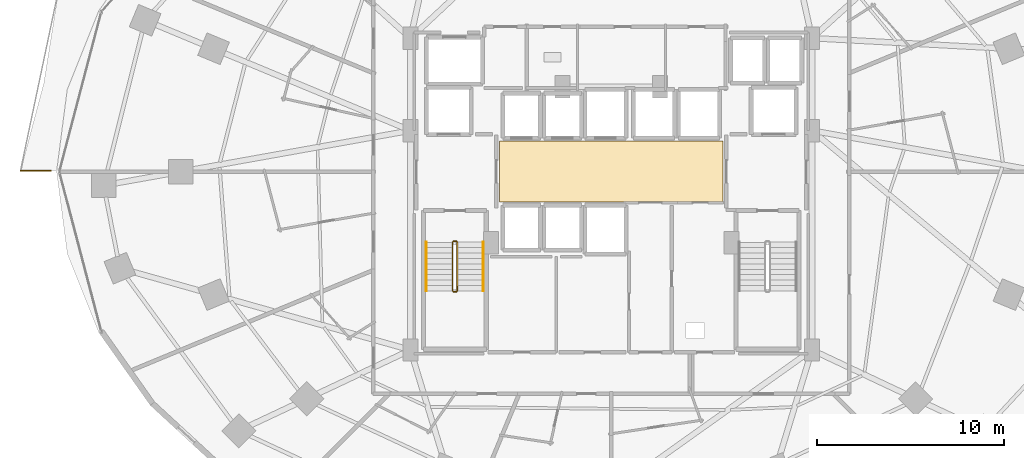
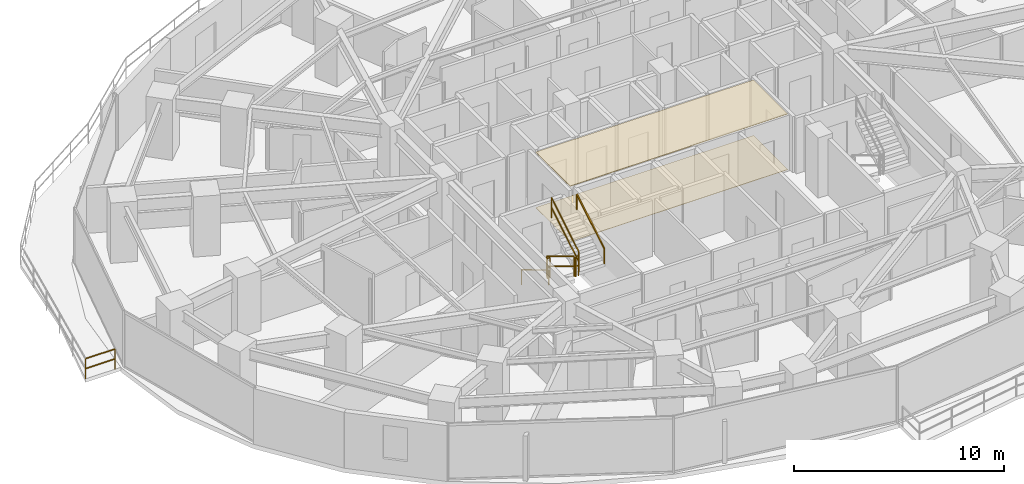
# One storey, part 31 of 34: 7 railings, 2 coverings.
"""IFC4 building model written with IfcOpenShell, lengths in metres."""

from ifc_helpers import new_model, si_unit, direction, frame, origin, origin_2d, place, context, subcontext, project, spatial, polyline, rectangle, outline, extrude, material, layer, layer_set, type_object, element, save


model = new_model("IFC4")

# Units and contexts
model_context = context("Model", 3, precision=1e-05, world=origin(), true_north=direction((0.0, 1.0)))
body_context = subcontext(model_context, "Body", "Model", "MODEL_VIEW")
ifc_project = project(units=[si_unit("LENGTHUNIT", "METRE"), si_unit("AREAUNIT", "SQUARE_METRE"), si_unit("VOLUMEUNIT", "CUBIC_METRE"), si_unit("PLANEANGLEUNIT", "RADIAN"), si_unit("MASSUNIT", "GRAM", prefix="KILO")], contexts=[model_context])

# Site, building, storey
site_placement = place(None, origin())
site = spatial("IfcSite", under=ifc_project, at=site_placement, CompositionType="ELEMENT")
building_placement = place(site_placement, origin())
building = spatial("IfcBuilding", under=site, at=building_placement, Name="Vorneva Point Tower", CompositionType="ELEMENT")
storey_placement = place(building_placement, frame((0.0, 0.0, 27.5)))
storey = spatial("IfcBuildingStorey", under=building, at=storey_placement, Name="L06", CompositionType="ELEMENT", Elevation=27.5)

# Coverings
ifc_material_1 = material(Name="Perforated acoustic aluminium baffle ceiling", Category="aluminium")
ifc_layer_1 = layer(ifc_material_1, 0.030029296875)
ifc_layer_set_1 = layer_set([ifc_layer_1], Name="Perforated acoustic aluminium baffle ceiling")
covering_type_1 = type_object("IfcCoveringType", Name="COV-CEIL-BAF", PredefinedType="CEILING", material=ifc_layer_set_1)
covering_1_placement = place(storey_placement, frame((0.0, 0.0, 3.2099609375)))
element("IfcCovering", 1, at=covering_1_placement, inside=storey, type_object=covering_type_1, Name="L06 Lift Lobby Acoustic Baffle Ceiling", PredefinedType="CEILING", context=body_context, shape_type="SweptSolid", body=[
    extrude(outline(polyline([(32.02001953125, 24.3701171875), (43.97998046875, 24.3701171875), (43.97998046875, 27.6298828125), (32.02001953125, 27.6298828125), (32.02001953125, 24.3701171875)])), origin(), (0.0, 0.0, 1.0), 0.03515625),
])
ifc_material_2 = material(Name="Acoustic wool hospitality carpet", Category="textile")
ifc_layer_2 = layer(ifc_material_2, 0.01806640625)
ifc_layer_set_2 = layer_set([ifc_layer_2], Name="Acoustic wool hospitality carpet")
covering_type_2 = type_object("IfcCoveringType", Name="COV-FLR-CRP", PredefinedType="FLOORING", material=ifc_layer_set_2)
covering_2_placement = place(storey_placement, frame((0.0, 0.0, -0.0048828125)))
element("IfcCovering", 2, at=covering_2_placement, inside=storey, type_object=covering_type_2, Name="L06 Lift Lobby Floor Finish", PredefinedType="FLOORING", context=body_context, shape_type="SweptSolid", body=[
    extrude(outline(polyline([(32.02001953125, 24.3701171875), (43.97998046875, 24.3701171875), (43.97998046875, 27.6298828125), (32.02001953125, 27.6298828125), (32.02001953125, 24.3701171875)])), origin(), (0.0, 0.0, 1.0), 0.02294921875),
])

# Railings
ifc_material_3 = material(Name="Pale anodised aluminium", Category="aluminium")
railing_type_1 = type_object("IfcRailingType", Name="RL-BAL-1200", PredefinedType="BALUSTRADE", material=ifc_material_3)
railing_1_placement = place(storey_placement, frame((6.36328125, 26.050048828125, 0.0)))
element("IfcRailing", 3, at=railing_1_placement, inside=storey, type_object=railing_type_1, Name="L06 Wave Balcony Balustrade NW.1", PredefinedType="BALUSTRADE", context=body_context, shape_type="SweptSolid", body=[
    extrude(rectangle(XDim=0.048095703125, YDim=0.048095703125, at=origin_2d()), frame((0.0, 0.0, 1.17578125), z_axis=(1.0, 0.0, 0.0), x_axis=(0.0, 1.0, 0.0)), (0.0, 0.0, 1.0), 1.62060546875),
    extrude(rectangle(XDim=0.048095703125, YDim=0.048095703125, at=origin_2d()), frame((0.0, 0.0, 0.60009765625), z_axis=(1.0, 0.0, 0.0), x_axis=(0.0, 1.0, 0.0)), (0.0, 0.0, 1.0), 1.62060546875),
    extrude(rectangle(XDim=0.0419921875, YDim=0.0419921875, at=origin_2d()), origin(), (0.0, 0.0, 1.0), 1.15185546875),
    extrude(rectangle(XDim=0.0419921875, YDim=0.0419921875, at=origin_2d()), frame((1.62060546875, 0.0, 0.0)), (0.0, 0.0, 1.0), 1.15185546875),
])
ifc_material_4 = material(Name="Brushed stainless steel S304", Category="steel")
railing_type_2 = type_object("IfcRailingType", Name="RL-HND-920", PredefinedType="HANDRAIL", material=ifc_material_4)
railing_2_placement = place(storey_placement, frame((28.10009765625, 22.219970703125, 0.175048828125)))
element("IfcRailing", 4, at=railing_2_placement, inside=storey, type_object=railing_type_2, Name="L06 ST1 stair handrail 1", PredefinedType="HANDRAIL", context=body_context, shape_type="SweptSolid", body=[
    extrude(rectangle(XDim=0.048095703125, YDim=0.048095703125, at=origin_2d()), frame((0.0, 0.0, 0.8759765625), z_axis=(0.0, -0.85618277418, 0.516673066065), x_axis=(1.0, 0.0, 0.0)), (0.0, 0.0, 1.0), 3.04833984375),
    extrude(rectangle(XDim=0.0419921875, YDim=0.0419921875, at=origin_2d()), origin(), (0.0, 0.0, 1.0), 0.851806640625),
    extrude(rectangle(XDim=0.0419921875, YDim=0.0419921875, at=origin_2d()), frame((0.0, -2.60986328125, 1.574951171875)), (0.0, 0.0, 1.0), 0.851806640625),
])
railing_3_placement = place(storey_placement, frame((31.14990234375, 19.610107421875, 1.925048828125)))
element("IfcRailing", 5, at=railing_3_placement, inside=storey, type_object=railing_type_2, Name="L06 ST1 stair handrail 2", PredefinedType="HANDRAIL", context=body_context, shape_type="SweptSolid", body=[
    extrude(rectangle(XDim=0.048095703125, YDim=0.048095703125, at=origin_2d()), frame((0.0, 0.0, 0.8759765625), z_axis=(0.0, 0.85618277418, 0.516673066065), x_axis=(-1.0, 0.0, 0.0)), (0.0, 0.0, 1.0), 3.04833984375),
    extrude(rectangle(XDim=0.0419921875, YDim=0.0419921875, at=origin_2d()), origin(), (0.0, 0.0, 1.0), 0.851806640625),
    extrude(rectangle(XDim=0.0419921875, YDim=0.0419921875, at=origin_2d()), frame((0.0, 2.60986328125, 1.574951171875)), (0.0, 0.0, 1.0), 0.851806640625),
])
railing_type_3 = type_object("IfcRailingType", Name="RL-STG-1100", PredefinedType="GUARDRAIL", material=ifc_material_4)
railing_4_placement = place(storey_placement, frame((29.5, 22.219970703125, 0.175048828125)))
element("IfcRailing", 6, at=railing_4_placement, inside=storey, type_object=railing_type_3, Name="L06 ST1 stair guard 1", PredefinedType="GUARDRAIL", context=body_context, shape_type="SweptSolid", body=[
    extrude(rectangle(XDim=0.048095703125, YDim=0.048095703125, at=origin_2d()), frame((0.0, 0.0, 1.17578125), z_axis=(0.0, -0.85618277418, 0.516673066065), x_axis=(1.0, 0.0, 0.0)), (0.0, 0.0, 1.0), 3.04833984375),
    extrude(rectangle(XDim=0.048095703125, YDim=0.048095703125, at=origin_2d()), frame((0.0, 0.0, 0.60009765625), z_axis=(0.0, -0.85618277418, 0.516673066065), x_axis=(1.0, 0.0, 0.0)), (0.0, 0.0, 1.0), 3.04833984375),
    extrude(rectangle(XDim=0.0419921875, YDim=0.0419921875, at=origin_2d()), origin(), (0.0, 0.0, 1.0), 1.15185546875),
    extrude(rectangle(XDim=0.0419921875, YDim=0.0419921875, at=origin_2d()), frame((0.0, -2.60986328125, 1.574951171875)), (0.0, 0.0, 1.0), 1.15185546875),
])
railing_5_placement = place(storey_placement, frame((29.550048828125, 19.56005859375, 1.75)))
element("IfcRailing", 7, at=railing_5_placement, inside=storey, type_object=railing_type_3, Name="L06 ST1 stair guard 2", PredefinedType="GUARDRAIL", context=body_context, shape_type="SweptSolid", body=[
    extrude(rectangle(XDim=0.048095703125, YDim=0.048095703125, at=origin_2d()), frame((0.0, 0.0, 1.17578125), z_axis=(1.0, 0.0, 0.0), x_axis=(0.0, 1.0, 0.0)), (0.0, 0.0, 1.0), 0.14990234375),
    extrude(rectangle(XDim=0.048095703125, YDim=0.048095703125, at=origin_2d()), frame((0.0, 0.0, 0.60009765625), z_axis=(1.0, 0.0, 0.0), x_axis=(0.0, 1.0, 0.0)), (0.0, 0.0, 1.0), 0.14990234375),
    extrude(rectangle(XDim=0.0419921875, YDim=0.0419921875, at=origin_2d()), origin(), (0.0, 0.0, 1.0), 1.15185546875),
    extrude(rectangle(XDim=0.0419921875, YDim=0.0419921875, at=origin_2d()), frame((0.14990234375, 0.0, 0.0)), (0.0, 0.0, 1.0), 1.15185546875),
])
railing_6_placement = place(storey_placement, frame((29.75, 19.610107421875, 1.925048828125)))
element("IfcRailing", 8, at=railing_6_placement, inside=storey, type_object=railing_type_3, Name="L06 ST1 stair guard 3", PredefinedType="GUARDRAIL", context=body_context, shape_type="SweptSolid", body=[
    extrude(rectangle(XDim=0.048095703125, YDim=0.048095703125, at=origin_2d()), frame((0.0, 0.0, 1.17578125), z_axis=(0.0, 0.85618277418, 0.516673066065), x_axis=(-1.0, 0.0, 0.0)), (0.0, 0.0, 1.0), 3.04833984375),
    extrude(rectangle(XDim=0.048095703125, YDim=0.048095703125, at=origin_2d()), frame((0.0, 0.0, 0.60009765625), z_axis=(0.0, 0.85618277418, 0.516673066065), x_axis=(-1.0, 0.0, 0.0)), (0.0, 0.0, 1.0), 3.04833984375),
    extrude(rectangle(XDim=0.0419921875, YDim=0.0419921875, at=origin_2d()), origin(), (0.0, 0.0, 1.0), 1.15185546875),
    extrude(rectangle(XDim=0.0419921875, YDim=0.0419921875, at=origin_2d()), frame((0.0, 2.60986328125, 1.574951171875)), (0.0, 0.0, 1.0), 1.15185546875),
])
railing_7_placement = place(storey_placement, frame((29.550048828125, 22.27001953125, 0.0)))
element("IfcRailing", 9, at=railing_7_placement, inside=storey, type_object=railing_type_3, Name="L06 ST1 stair guard 4", PredefinedType="GUARDRAIL", context=body_context, shape_type="SweptSolid", body=[
    extrude(rectangle(XDim=0.048095703125, YDim=0.048095703125, at=origin_2d()), frame((0.0, 0.0, 1.17578125), z_axis=(1.0, 0.0, 0.0), x_axis=(0.0, 1.0, 0.0)), (0.0, 0.0, 1.0), 0.14990234375),
    extrude(rectangle(XDim=0.048095703125, YDim=0.048095703125, at=origin_2d()), frame((0.0, 0.0, 0.60009765625), z_axis=(1.0, 0.0, 0.0), x_axis=(0.0, 1.0, 0.0)), (0.0, 0.0, 1.0), 0.14990234375),
    extrude(rectangle(XDim=0.0419921875, YDim=0.0419921875, at=origin_2d()), origin(), (0.0, 0.0, 1.0), 1.15185546875),
    extrude(rectangle(XDim=0.0419921875, YDim=0.0419921875, at=origin_2d()), frame((0.14990234375, 0.0, 0.0)), (0.0, 0.0, 1.0), 1.15185546875),
])

save(model, "model.ifc")
